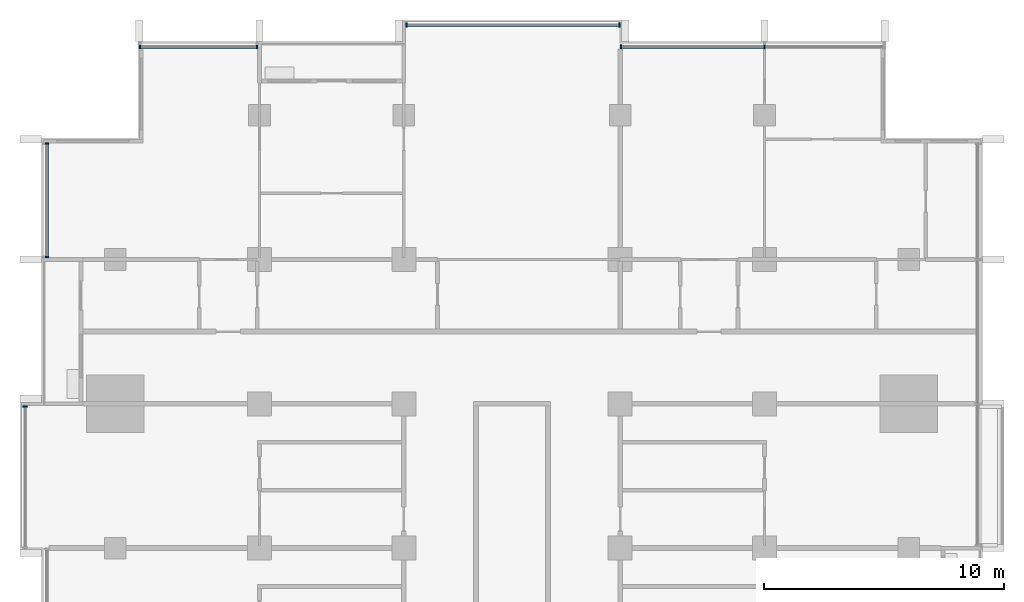
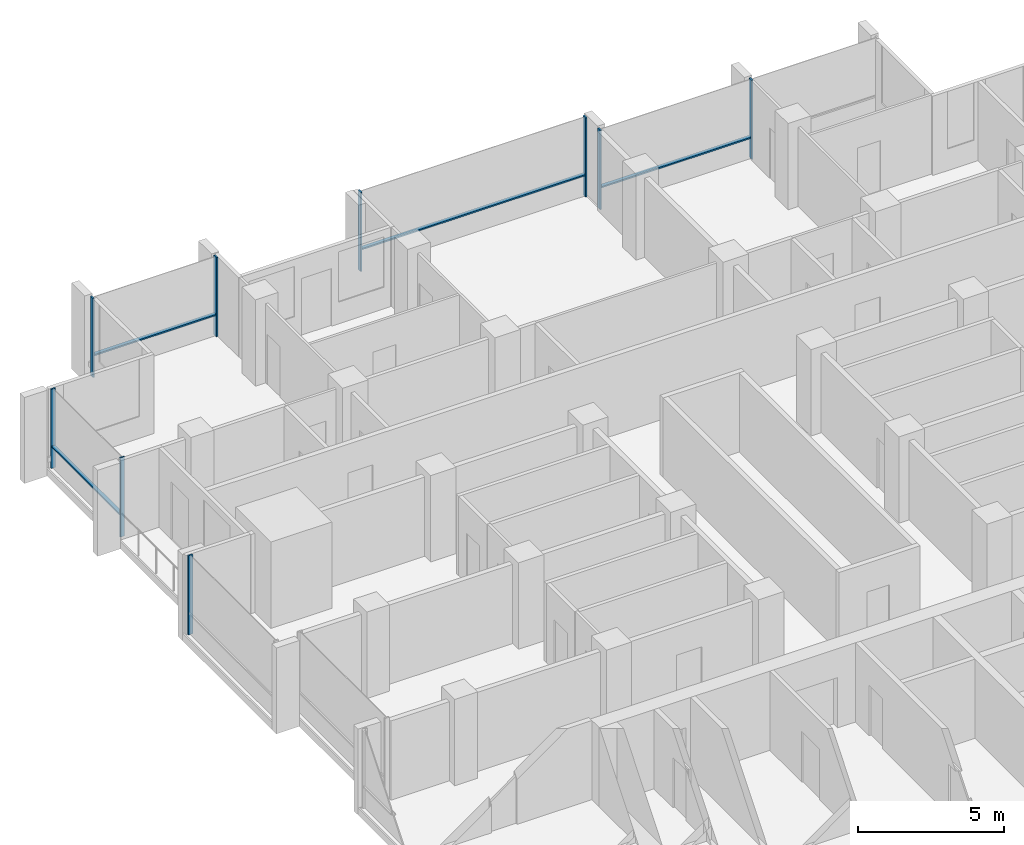
# One storey, part 4 of 16: 13 members, 5 elements without a shape of their own.
"""IFC4 building model written with IfcOpenShell, lengths in metres."""

from ifc_helpers import new_model, si_unit, direction, frame, origin, origin_2d, place, context, subcontext, project, spatial, rectangle, extrude, material, material_profile, profile_set, type_object, element, aggregate, save


model = new_model("IFC4")

# Units and contexts
model_context = context("Model", 3, precision=1e-05, world=origin(), true_north=direction((0.0, 1.0)))
body_context = subcontext(model_context, "Body", "Model", "MODEL_VIEW")
ifc_project = project(units=[si_unit("LENGTHUNIT", "METRE"), si_unit("AREAUNIT", "SQUARE_METRE"), si_unit("VOLUMEUNIT", "CUBIC_METRE"), si_unit("PLANEANGLEUNIT", "RADIAN"), si_unit("MASSUNIT", "GRAM", prefix="KILO")], contexts=[model_context])

# Site, building, storey
site_placement = place(None, origin())
site = spatial("IfcSite", under=ifc_project, at=site_placement, CompositionType="ELEMENT")
building_placement = place(site_placement, origin())
building = spatial("IfcBuilding", under=site, at=building_placement, Name="Finial Court Residences", CompositionType="ELEMENT")
storey_placement = place(building_placement, frame((0.0, 0.0, 163.699951171875)))
storey = spatial("IfcBuildingStorey", under=building, at=storey_placement, Name="L40", CompositionType="ELEMENT", Elevation=163.699951171875)

# Curtain wall, members
ifc_material = material(Name="Bronze anodised aluminium", Category="aluminium")
curtain_wall_type = type_object("IfcCurtainWallType", Name="Unitised curtain wall, upper zones", PredefinedType="NOTDEFINED", material=ifc_material)
curtain_wall_1_placement = place(storey_placement, origin())
curtain_wall_1 = element("IfcCurtainWall", 1, at=curtain_wall_1_placement, inside=storey, type_object=curtain_wall_type, Name="E-L40-CW-N1", PredefinedType="NOTDEFINED")
ifc_material_profile_1 = material_profile(ifc_material, rectangle(XDim=0.175048828125, YDim=0.06005859375, at=origin_2d()), Name="CW2 mullion 60 x 175")
ifc_profile_set_1 = profile_set([ifc_material_profile_1], Name="Bronze anodised aluminium")
member_type_1 = type_object("IfcMemberType", Name="CW2 mullion 60 x 175", PredefinedType="MULLION", material=ifc_profile_set_1)
member_1_placement = place(storey_placement, frame((-15.469970703125, 22.35009765625, 0.0), z_axis=(0.0, 0.0, 1.0), x_axis=(0.0, 1.0, 0.0)))
member_1 = element("IfcMember", 2, at=member_1_placement, type_object=member_type_1, Name="CW2 mullion 1", PredefinedType="MULLION", context=body_context, shape_type="SweptSolid", body=[
    extrude(rectangle(XDim=0.175048828125, YDim=0.06005859375, at=origin_2d()), origin(), (0.0, 0.0, 1.0), 3.300048828125),
])
member_2_placement = place(storey_placement, frame((-10.60498046875, 22.35009765625, 0.0), z_axis=(0.0, 0.0, 1.0), x_axis=(0.0, 1.0, 0.0)))
member_2 = element("IfcMember", 3, at=member_2_placement, type_object=member_type_1, Name="CW2 mullion 2", PredefinedType="MULLION", context=body_context, shape_type="SweptSolid", body=[
    extrude(rectangle(XDim=0.175048828125, YDim=0.06005859375, at=origin_2d()), origin(), (0.0, 0.0, 1.0), 3.300048828125),
])

curtain_wall_2_placement = place(storey_placement, origin())
curtain_wall_2 = element("IfcCurtainWall", 4, at=curtain_wall_2_placement, inside=storey, type_object=curtain_wall_type, Name="E-L40-CW-N2", PredefinedType="NOTDEFINED")
member_3_placement = place(storey_placement, frame((-4.39501953125, 23.25, 0.0), z_axis=(0.0, 0.0, 1.0), x_axis=(0.0, 1.0, 0.0)))
member_3 = element("IfcMember", 5, at=member_3_placement, type_object=member_type_1, Name="CW2 mullion 1", PredefinedType="MULLION", context=body_context, shape_type="SweptSolid", body=[
    extrude(rectangle(XDim=0.175048828125, YDim=0.06005859375, at=origin_2d()), origin(), (0.0, 0.0, 1.0), 3.300048828125),
])
member_4_placement = place(storey_placement, frame((4.469970703125, 23.25, 0.0), z_axis=(0.0, 0.0, 1.0), x_axis=(0.0, 1.0, 0.0)))
member_4 = element("IfcMember", 6, at=member_4_placement, type_object=member_type_1, Name="CW2 mullion 2", PredefinedType="MULLION", context=body_context, shape_type="SweptSolid", body=[
    extrude(rectangle(XDim=0.175048828125, YDim=0.06005859375, at=origin_2d()), origin(), (0.0, 0.0, 1.0), 3.300048828125),
])

curtain_wall_3_placement = place(storey_placement, origin())
curtain_wall_3 = element("IfcCurtainWall", 7, at=curtain_wall_3_placement, inside=storey, type_object=curtain_wall_type, Name="E-L40-CW-N3", PredefinedType="NOTDEFINED")
member_5_placement = place(storey_placement, frame((4.530029296875, 22.35009765625, 0.0), z_axis=(0.0, 0.0, 1.0), x_axis=(0.0, 1.0, 0.0)))
member_5 = element("IfcMember", 8, at=member_5_placement, type_object=member_type_1, Name="CW2 mullion 1", PredefinedType="MULLION", context=body_context, shape_type="SweptSolid", body=[
    extrude(rectangle(XDim=0.175048828125, YDim=0.06005859375, at=origin_2d()), origin(), (0.0, 0.0, 1.0), 3.300048828125),
])
member_6_placement = place(storey_placement, frame((10.5, 22.35009765625, 0.0), z_axis=(0.0, 0.0, 1.0), x_axis=(0.0, 1.0, 0.0)))
member_6 = element("IfcMember", 9, at=member_6_placement, type_object=member_type_1, Name="CW2 mullion 2", PredefinedType="MULLION", context=body_context, shape_type="SweptSolid", body=[
    extrude(rectangle(XDim=0.175048828125, YDim=0.06005859375, at=origin_2d()), origin(), (0.0, 0.0, 1.0), 3.300048828125),
])

# Curtain wall, member
curtain_wall_4_placement = place(storey_placement, origin())
curtain_wall_4 = element("IfcCurtainWall", 10, at=curtain_wall_4_placement, inside=storey, type_object=curtain_wall_type, Name="E-L40-CW-W12", PredefinedType="NOTDEFINED")
member_7_placement = place(storey_placement, frame((-20.25, 7.39501953125, 0.0), z_axis=(0.0, 0.0, 1.0), x_axis=(-1.0, 0.0, 0.0)))
member_7 = element("IfcMember", 11, at=member_7_placement, type_object=member_type_1, Name="CW2 mullion 2", PredefinedType="MULLION", context=body_context, shape_type="SweptSolid", body=[
    extrude(rectangle(XDim=0.175048828125, YDim=0.06005859375, at=origin_2d()), origin(), (0.0, 0.0, 1.0), 3.300048828125),
])
aggregate(curtain_wall_4, [member_7])

# Curtain wall, members
curtain_wall_5_placement = place(storey_placement, origin())
curtain_wall_5 = element("IfcCurtainWall", 12, at=curtain_wall_5_placement, inside=storey, type_object=curtain_wall_type, Name="E-L40-CW-W13", PredefinedType="NOTDEFINED")
member_8_placement = place(storey_placement, frame((-19.35009765625, 13.60498046875, 0.0), z_axis=(0.0, 0.0, 1.0), x_axis=(-1.0, 0.0, 0.0)))
member_8 = element("IfcMember", 13, at=member_8_placement, type_object=member_type_1, Name="CW2 mullion 1", PredefinedType="MULLION", context=body_context, shape_type="SweptSolid", body=[
    extrude(rectangle(XDim=0.175048828125, YDim=0.06005859375, at=origin_2d()), origin(), (0.0, 0.0, 1.0), 3.300048828125),
])
member_9_placement = place(storey_placement, frame((-19.35009765625, 18.320068359375, 0.0), z_axis=(0.0, 0.0, 1.0), x_axis=(-1.0, 0.0, 0.0)))
member_9 = element("IfcMember", 14, at=member_9_placement, type_object=member_type_1, Name="CW2 mullion 2", PredefinedType="MULLION", context=body_context, shape_type="SweptSolid", body=[
    extrude(rectangle(XDim=0.175048828125, YDim=0.06005859375, at=origin_2d()), origin(), (0.0, 0.0, 1.0), 3.300048828125),
])

# Member
ifc_material_profile_2 = material_profile(ifc_material, rectangle(XDim=0.139892578125, YDim=0.06005859375, at=origin_2d()), Name="CW2 transom 60 x 140")
ifc_profile_set_2 = profile_set([ifc_material_profile_2], Name="Bronze anodised aluminium")
member_type_2 = type_object("IfcMemberType", Name="CW2 transom 60 x 140", PredefinedType="USERDEFINED", material=ifc_profile_set_2)
member_10_placement = place(storey_placement, frame((-15.43994140625, 22.35009765625, 0.900146484375), z_axis=(1.0, 0.0, 0.0), x_axis=(0.0, 1.0, 0.0)))
member_10 = element("IfcMember", 15, at=member_10_placement, type_object=member_type_2, Name="CW2 transom 1.1", ObjectType="TRANSOM", PredefinedType="USERDEFINED", context=body_context, shape_type="SweptSolid", body=[
    extrude(rectangle(XDim=0.139892578125, YDim=0.06005859375, at=origin_2d()), origin(), (0.0, 0.0, 1.0), 4.804931640625),
])

aggregate(curtain_wall_1, [member_1, member_2, member_10])

member_11_placement = place(storey_placement, frame((-4.364990234375, 23.25, 0.900146484375), z_axis=(1.0, 0.0, 0.0), x_axis=(0.0, 1.0, 0.0)))
member_11 = element("IfcMember", 16, at=member_11_placement, type_object=member_type_2, Name="CW2 transom 1.1", ObjectType="TRANSOM", PredefinedType="USERDEFINED", context=body_context, shape_type="SweptSolid", body=[
    extrude(rectangle(XDim=0.139892578125, YDim=0.06005859375, at=origin_2d()), origin(), (0.0, 0.0, 1.0), 8.804931640625),
])

aggregate(curtain_wall_2, [member_3, member_4, member_11])

member_12_placement = place(storey_placement, frame((4.56005859375, 22.35009765625, 0.900146484375), z_axis=(1.0, 0.0, 0.0), x_axis=(0.0, 1.0, 0.0)))
member_12 = element("IfcMember", 17, at=member_12_placement, type_object=member_type_2, Name="CW2 transom 1.1", ObjectType="TRANSOM", PredefinedType="USERDEFINED", context=body_context, shape_type="SweptSolid", body=[
    extrude(rectangle(XDim=0.139892578125, YDim=0.06005859375, at=origin_2d()), origin(), (0.0, 0.0, 1.0), 5.909912109375),
])

aggregate(curtain_wall_3, [member_5, member_6, member_12])

member_13_placement = place(storey_placement, frame((-19.35009765625, 13.635009765625, 0.900146484375), z_axis=(0.0, 1.0, 0.0), x_axis=(-1.0, 0.0, 0.0)))
member_13 = element("IfcMember", 18, at=member_13_placement, type_object=member_type_2, Name="CW2 transom 1.1", ObjectType="TRANSOM", PredefinedType="USERDEFINED", context=body_context, shape_type="SweptSolid", body=[
    extrude(rectangle(XDim=0.139892578125, YDim=0.06005859375, at=origin_2d()), origin(), (0.0, 0.0, 1.0), 4.655029296875),
])

aggregate(curtain_wall_5, [member_8, member_9, member_13])

save(model, "model.ifc")
